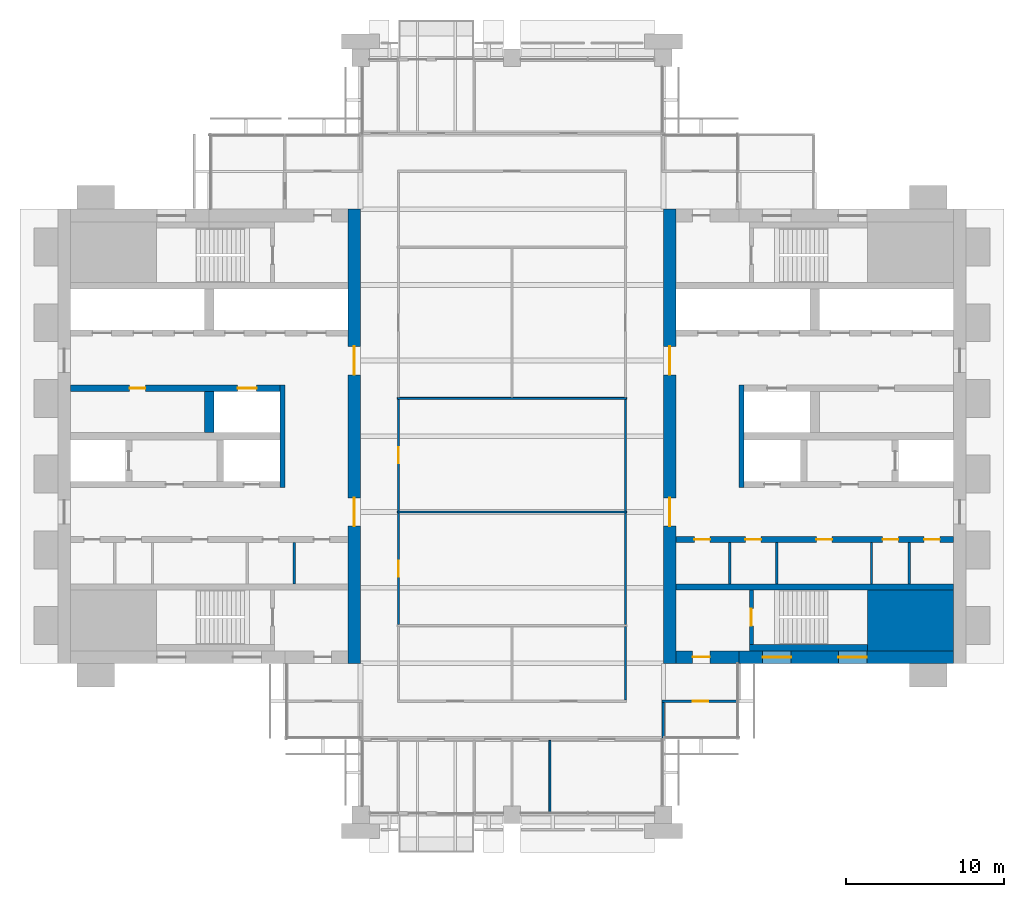
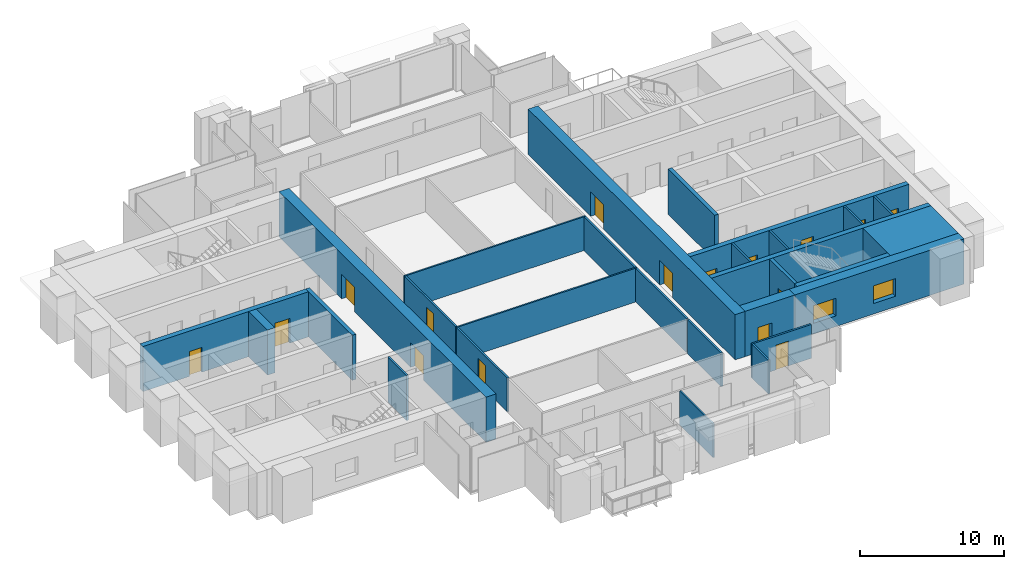
# One storey, part 9 of 14: 28 walls, 16 doors, 2 windows, 18 openings.
"""IFC4 building model written with IfcOpenShell, lengths in metres."""

from ifc_helpers import new_model, si_unit, direction, frame, frame_2d, origin, place, context, subcontext, project, spatial, rectangle, extrude, material, layer, layer_set, type_object, element, fill, save


model = new_model("IFC4")

# Units and contexts
model_context = context("Model", 3, precision=1e-05, world=origin(), true_north=direction((0.0, 1.0)))
body_context = subcontext(model_context, "Body", "Model", "MODEL_VIEW")
ifc_project = project(units=[si_unit("LENGTHUNIT", "METRE"), si_unit("AREAUNIT", "SQUARE_METRE"), si_unit("VOLUMEUNIT", "CUBIC_METRE"), si_unit("PLANEANGLEUNIT", "RADIAN"), si_unit("MASSUNIT", "GRAM", prefix="KILO")], contexts=[model_context])

# Site, building, storey
site_placement = place(None, origin())
site = spatial("IfcSite", under=ifc_project, at=site_placement, CompositionType="ELEMENT")
building_placement = place(site_placement, origin())
building = spatial("IfcBuilding", under=site, at=building_placement, Name="Baori Bourse Tower", CompositionType="ELEMENT")
storey_placement = place(building_placement, frame((0.0, 0.0, 257.199951171875)))
storey = spatial("IfcBuildingStorey", under=building, at=storey_placement, Name="L57", CompositionType="ELEMENT", Elevation=257.199951171875)

# Walls
ifc_material_1 = material(Name="Concrete f'c 50 MPa", Category="concrete")
wall_type_1 = type_object("IfcWallType", Name="Core corner block f'c 50", PredefinedType="SHEAR", material=ifc_material_1)
wall_1_placement = place(storey_placement, frame((51.35009765625, 12.324951171875, 0.0), z_axis=(0.0, 0.0, 1.0), x_axis=(1.0, 0.0, 0.0)))
element("IfcWall", 1, at=wall_1_placement, inside=storey, type_object=wall_type_1, Name="Core wall E05", PredefinedType="SHEAR", context=body_context, shape_type="SweptSolid", body=[
    extrude(rectangle(XDim=5.449951171875, YDim=3.85009765625, at=frame_2d((2.72509765625, 0.0))), origin(), (0.0, 0.0, 1.0), 3.840087890625),
])
ifc_material_2 = material(Name="Blockwork partition", Category="masonry")
ifc_layer_1 = layer(ifc_material_2, 0.14990234375)
ifc_layer_set_1 = layer_set([ifc_layer_1], Name="Core partition 150")
wall_type_2 = type_object("IfcWallType", Name="Core partition 150", PredefinedType="PARTITIONING", material=ifc_layer_set_1)
for number, where, z_axis, x_axis, name in (
    (2, (15.0, 14.64990234375, 0.0), (0.0, 0.0, 1.0), (0.0, 1.0, 0.0), "Partition wall W12"),
    (3, (54.0, 14.64990234375, 0.0), (0.0, 0.0, 1.0), (0.0, 1.0, 0.0), "Partition wall E09"),
    (4, (51.60009765625, 14.64990234375, 0.0), (0.0, 0.0, 1.0), (0.0, 1.0, 0.0), "Partition wall E10"),
    (5, (45.60009765625, 14.64990234375, 0.0), (0.0, 0.0, 1.0), (0.0, 1.0, 0.0), "Partition wall E11"),
    (6, (42.60009765625, 14.64990234375, 0.0), (0.0, 0.0, 1.0), (0.0, 1.0, 0.0), "Partition wall E12"),
):
    element("IfcWall", number, at=place(storey_placement, frame(where, z_axis=z_axis, x_axis=x_axis)), inside=storey, type_object=wall_type_2, Name=name, PredefinedType="PARTITIONING", context=body_context, shape_type="SweptSolid", body=[
        extrude(rectangle(XDim=2.60009765625, YDim=0.14990234375, at=frame_2d((1.300048828125, 0.0))), origin(), (0.0, 0.0, 1.0), 3.840087890625),
    ])

# Wall, openings, doors
ifc_material_3 = material(Name="Concrete f'c 50 MPa", Category="concrete")
ifc_layer_2 = layer(ifc_material_3, 0.800048828125)
ifc_layer_set_2 = layer_set([ifc_layer_2], Name="Core wall 800 f'c 50")
wall_type_3 = type_object("IfcWallType", Name="Core wall 800 f'c 50", PredefinedType="SHEAR", material=ifc_layer_set_2)
wall_2_placement = place(storey_placement, frame((18.800048828125, 38.39990234375, 0.0), z_axis=(0.0, 0.0, 1.0), x_axis=(0.0, -1.0, 0.0)))
wall_2 = element("IfcWall", 7, at=wall_2_placement, inside=storey, type_object=wall_type_3, Name="Core wall W04", PredefinedType="SHEAR", context=body_context, shape_type="SweptSolid", body=[
    extrude(rectangle(XDim=28.7998046875, YDim=0.800048828125, at=frame_2d((14.39990234375, 0.0))), origin(), (0.0, 0.0, 1.0), 3.840087890625),
])
opening_1_placement = place(wall_2_placement, frame((18.300048828125, 0.0, 0.0)))
opening_1 = element("IfcOpeningElement", 8, at=opening_1_placement, cuts=wall_2, Name="Opening L57-D107", PredefinedType="OPENING", context=body_context, shape_type="SweptSolid", body=[
    extrude(rectangle(XDim=1.800048828125, YDim=2.10009765625, at=frame_2d((0.89990234375, 1.050048828125))), frame((0.0, 0.409912109375, 0.0), z_axis=(0.0, -1.0, 0.0), x_axis=(1.0, 0.0, 0.0)), (0.0, 0.0, 1.0), 0.820068359375),
])
opening_2_placement = place(wall_2_placement, frame((8.699951171875, 0.0, 0.0)))
opening_2 = element("IfcOpeningElement", 9, at=opening_2_placement, cuts=wall_2, Name="Opening L57-D108", PredefinedType="OPENING", context=body_context, shape_type="SweptSolid", body=[
    extrude(rectangle(XDim=1.800048828125, YDim=2.10009765625, at=frame_2d((0.89990234375, 1.050048828125))), frame((0.0, 0.409912109375, 0.0), z_axis=(0.0, -1.0, 0.0), x_axis=(1.0, 0.0, 0.0)), (0.0, 0.0, 1.0), 0.820068359375),
])
ifc_material_4 = material(Name="Painted steel door", Category="steel")
door_type_1 = type_object("IfcDoorType", Name="Core lobby door 1800", OperationType="DOUBLE_DOOR_SINGLE_SWING", PredefinedType="DOOR", material=ifc_material_4)
door_1_placement = place(opening_1_placement, origin())
door_1 = element("IfcDoor", 10, at=door_1_placement, inside=storey, type_object=door_type_1, Name="Lobby door W L57", OperationType="DOUBLE_DOOR_SINGLE_SWING", OverallHeight=2.10009765625, OverallWidth=1.800048828125, PredefinedType="DOOR", context=body_context, shape_type="SweptSolid", body=[
    extrude(rectangle(XDim=1.800048828125, YDim=2.10009765625, at=frame_2d((0.89990234375, 1.050048828125))), frame((0.0, 0.02490234375, 0.0), z_axis=(0.0, -1.0, 0.0), x_axis=(1.0, 0.0, 0.0)), (0.0, 0.0, 1.0), 0.050048828125),
])
fill(opening_1, door_1)
door_2_placement = place(opening_2_placement, origin())
door_2 = element("IfcDoor", 11, at=door_2_placement, inside=storey, type_object=door_type_1, Name="Lobby door W L57", OperationType="DOUBLE_DOOR_SINGLE_SWING", OverallHeight=2.10009765625, OverallWidth=1.800048828125, PredefinedType="DOOR", context=body_context, shape_type="SweptSolid", body=[
    extrude(rectangle(XDim=1.800048828125, YDim=2.10009765625, at=frame_2d((0.89990234375, 1.050048828125))), frame((0.0, 0.02490234375, 0.0), z_axis=(0.0, -1.0, 0.0), x_axis=(1.0, 0.0, 0.0)), (0.0, 0.0, 1.0), 0.050048828125),
])
fill(opening_2, door_2)

# Wall, openings, windows
wall_3_placement = place(storey_placement, frame((56.800048828125, 10.0, 0.0), z_axis=(0.0, 0.0, 1.0), x_axis=(-1.0, 0.0, 0.0)))
wall_3 = element("IfcWall", 12, at=wall_3_placement, inside=storey, type_object=wall_type_3, Name="Core wall E02", PredefinedType="SHEAR", context=body_context, shape_type="SweptSolid", body=[
    extrude(rectangle(XDim=13.60009765625, YDim=0.800048828125, at=frame_2d((6.800048828125, 0.0))), origin(), (0.0, 0.0, 1.0), 3.840087890625),
])
opening_3_placement = place(wall_3_placement, frame((5.5, 0.0, 0.89990234375)))
opening_3 = element("IfcOpeningElement", 13, at=opening_3_placement, cuts=wall_3, Name="Opening L57-KW203", PredefinedType="OPENING", context=body_context, shape_type="SweptSolid", body=[
    extrude(rectangle(XDim=1.800048828125, YDim=1.5, at=frame_2d((0.89990234375, 0.75))), frame((0.0, 0.409912109375, 0.0), z_axis=(0.0, -1.0, 0.0), x_axis=(1.0, 0.0, 0.0)), (0.0, 0.0, 1.0), 0.820068359375),
])
opening_4_placement = place(wall_3_placement, frame((10.300048828125, 0.0, 0.89990234375)))
opening_4 = element("IfcOpeningElement", 14, at=opening_4_placement, cuts=wall_3, Name="Opening L57-KW204", PredefinedType="OPENING", context=body_context, shape_type="SweptSolid", body=[
    extrude(rectangle(XDim=1.800048828125, YDim=1.5, at=frame_2d((0.89990234375, 0.75))), frame((0.0, 0.409912109375, 0.0), z_axis=(0.0, -1.0, 0.0), x_axis=(1.0, 0.0, 0.0)), (0.0, 0.0, 1.0), 0.820068359375),
])
ifc_material_5 = material(Name="Pale anodised aluminium", Category="aluminium")
window_type = type_object("IfcWindowType", Name="Stair window 1800 x 1500", PartitioningType="SINGLE_PANEL", PredefinedType="WINDOW", material=ifc_material_5)
window_1_placement = place(opening_3_placement, origin())
window_1 = element("IfcWindow", 15, at=window_1_placement, inside=storey, type_object=window_type, Name="Stair window E L57 3", OverallHeight=1.5, OverallWidth=1.800048828125, PartitioningType="SINGLE_PANEL", PredefinedType="WINDOW", context=body_context, shape_type="SweptSolid", body=[
    extrude(rectangle(XDim=1.800048828125, YDim=1.5, at=frame_2d((0.89990234375, 0.75))), frame((0.0, 0.030029296875, 0.0), z_axis=(0.0, -1.0, 0.0), x_axis=(1.0, 0.0, 0.0)), (0.0, 0.0, 1.0), 0.06005859375),
])
fill(opening_3, window_1)
window_2_placement = place(opening_4_placement, origin())
window_2 = element("IfcWindow", 16, at=window_2_placement, inside=storey, type_object=window_type, Name="Stair window E L57 4", OverallHeight=1.5, OverallWidth=1.800048828125, PartitioningType="SINGLE_PANEL", PredefinedType="WINDOW", context=body_context, shape_type="SweptSolid", body=[
    extrude(rectangle(XDim=1.800048828125, YDim=1.5, at=frame_2d((0.89990234375, 0.75))), frame((0.0, 0.030029296875, 0.0), z_axis=(0.0, -1.0, 0.0), x_axis=(1.0, 0.0, 0.0)), (0.0, 0.0, 1.0), 0.06005859375),
])
fill(opening_4, window_2)

# Wall, opening, door
wall_4_placement = place(storey_placement, frame((43.199951171875, 10.0, 0.0), z_axis=(0.0, 0.0, 1.0), x_axis=(-1.0, 0.0, 0.0)))
wall_4 = element("IfcWall", 17, at=wall_4_placement, inside=storey, type_object=wall_type_3, Name="Core wall E03", PredefinedType="SHEAR", context=body_context, shape_type="SweptSolid", body=[
    extrude(rectangle(XDim=4.0, YDim=0.800048828125, at=frame_2d((2.0, 0.0))), origin(), (0.0, 0.0, 1.0), 3.840087890625),
])
opening_5_placement = place(wall_4_placement, frame((1.85009765625, 0.0, 0.0)))
opening_5 = element("IfcOpeningElement", 18, at=opening_5_placement, cuts=wall_4, Name="Opening L57-D202", PredefinedType="OPENING", context=body_context, shape_type="SweptSolid", body=[
    extrude(rectangle(XDim=1.10009765625, YDim=2.10009765625, at=frame_2d((0.550048828125, 1.050048828125))), frame((0.0, 0.409912109375, 0.0), z_axis=(0.0, -1.0, 0.0), x_axis=(1.0, 0.0, 0.0)), (0.0, 0.0, 1.0), 0.820068359375),
])
ifc_material_6 = material(Name="Painted steel door", Category="steel")
door_type_2 = type_object("IfcDoorType", Name="Stair door 1100", OperationType="SINGLE_SWING_LEFT", PredefinedType="DOOR", material=ifc_material_6)
door_3_placement = place(opening_5_placement, origin())
door_3 = element("IfcDoor", 19, at=door_3_placement, inside=storey, type_object=door_type_2, Name="Stair vestibule door A E L57", OperationType="SINGLE_SWING_LEFT", OverallHeight=2.10009765625, OverallWidth=1.10009765625, PredefinedType="DOOR", context=body_context, shape_type="SweptSolid", body=[
    extrude(rectangle(XDim=1.10009765625, YDim=2.10009765625, at=frame_2d((0.550048828125, 1.050048828125))), frame((0.0, 0.02490234375, 0.0), z_axis=(0.0, -1.0, 0.0), x_axis=(1.0, 0.0, 0.0)), (0.0, 0.0, 1.0), 0.050048828125),
])
fill(opening_5, door_3)

# Wall, openings, doors
wall_5_placement = place(storey_placement, frame((38.800048828125, 9.60009765625, 0.0), z_axis=(0.0, 0.0, 1.0), x_axis=(0.0, 1.0, 0.0)))
wall_5 = element("IfcWall", 20, at=wall_5_placement, inside=storey, type_object=wall_type_3, Name="Core wall E04", PredefinedType="SHEAR", context=body_context, shape_type="SweptSolid", body=[
    extrude(rectangle(XDim=28.7998046875, YDim=0.800048828125, at=frame_2d((14.39990234375, 0.0))), origin(), (0.0, 0.0, 1.0), 3.840087890625),
])
opening_6_placement = place(wall_5_placement, frame((8.699951171875, 0.0, 0.0)))
opening_6 = element("IfcOpeningElement", 21, at=opening_6_placement, cuts=wall_5, Name="Opening L57-D207", PredefinedType="OPENING", context=body_context, shape_type="SweptSolid", body=[
    extrude(rectangle(XDim=1.800048828125, YDim=2.10009765625, at=frame_2d((0.89990234375, 1.050048828125))), frame((0.0, 0.409912109375, 0.0), z_axis=(0.0, -1.0, 0.0), x_axis=(1.0, 0.0, 0.0)), (0.0, 0.0, 1.0), 0.820068359375),
])
opening_7_placement = place(wall_5_placement, frame((18.300048828125, 0.0, 0.0)))
opening_7 = element("IfcOpeningElement", 22, at=opening_7_placement, cuts=wall_5, Name="Opening L57-D208", PredefinedType="OPENING", context=body_context, shape_type="SweptSolid", body=[
    extrude(rectangle(XDim=1.800048828125, YDim=2.10009765625, at=frame_2d((0.89990234375, 1.050048828125))), frame((0.0, 0.409912109375, 0.0), z_axis=(0.0, -1.0, 0.0), x_axis=(1.0, 0.0, 0.0)), (0.0, 0.0, 1.0), 0.820068359375),
])
door_4_placement = place(opening_6_placement, origin())
door_4 = element("IfcDoor", 23, at=door_4_placement, inside=storey, type_object=door_type_1, Name="Lobby door E L57", OperationType="DOUBLE_DOOR_SINGLE_SWING", OverallHeight=2.10009765625, OverallWidth=1.800048828125, PredefinedType="DOOR", context=body_context, shape_type="SweptSolid", body=[
    extrude(rectangle(XDim=1.800048828125, YDim=2.10009765625, at=frame_2d((0.89990234375, 1.050048828125))), frame((0.0, 0.02490234375, 0.0), z_axis=(0.0, -1.0, 0.0), x_axis=(1.0, 0.0, 0.0)), (0.0, 0.0, 1.0), 0.050048828125),
])
fill(opening_6, door_4)
door_5_placement = place(opening_7_placement, origin())
door_5 = element("IfcDoor", 24, at=door_5_placement, inside=storey, type_object=door_type_1, Name="Lobby door E L57", OperationType="DOUBLE_DOOR_SINGLE_SWING", OverallHeight=2.10009765625, OverallWidth=1.800048828125, PredefinedType="DOOR", context=body_context, shape_type="SweptSolid", body=[
    extrude(rectangle(XDim=1.800048828125, YDim=2.10009765625, at=frame_2d((0.89990234375, 1.050048828125))), frame((0.0, 0.02490234375, 0.0), z_axis=(0.0, -1.0, 0.0), x_axis=(1.0, 0.0, 0.0)), (0.0, 0.0, 1.0), 0.050048828125),
])
fill(opening_7, door_5)

# Wall, opening, door
ifc_material_7 = material(Name="Gypsum board partition")
ifc_layer_3 = layer(ifc_material_7, 0.14990234375)
ifc_layer_set_3 = layer_set([ifc_layer_3], Name="Corridor partition 150")
wall_type_4 = type_object("IfcWallType", Name="Corridor partition 150", PredefinedType="PARTITIONING", material=ifc_layer_set_3)
wall_6_placement = place(storey_placement, frame((38.324951171875, 7.199951171875, 0.0), z_axis=(0.0, 0.0, 1.0), x_axis=(1.0, 0.0, 0.0)))
wall_6 = element("IfcWall", 25, at=wall_6_placement, inside=storey, type_object=wall_type_4, Name="Partition", PredefinedType="PARTITIONING", context=body_context, shape_type="SweptSolid", body=[
    extrude(rectangle(XDim=4.775146484375, YDim=0.14990234375, at=frame_2d((2.3876953125, 0.0))), origin(), (0.0, 0.0, 1.0), 2.869873046875),
])
opening_8_placement = place(wall_6_placement, frame((1.925048828125, 0.0, 0.0)))
opening_8 = element("IfcOpeningElement", 26, at=opening_8_placement, cuts=wall_6, Name="Opening L57-D09", PredefinedType="OPENING", context=body_context, shape_type="SweptSolid", body=[
    extrude(rectangle(XDim=1.0, YDim=2.10009765625, at=frame_2d((0.5, 1.050048828125))), frame((0.0, 0.0849609375, 0.0), z_axis=(0.0, -1.0, 0.0), x_axis=(1.0, 0.0, 0.0)), (0.0, 0.0, 1.0), 0.169921875),
])
ifc_material_8 = material(Name="Timber door leaf", Category="wood")
door_type_3 = type_object("IfcDoorType", Name="Door 1000 x 2100", OperationType="SINGLE_SWING_LEFT", PredefinedType="DOOR", material=ifc_material_8)
door_6_placement = place(opening_8_placement, origin())
door_6 = element("IfcDoor", 27, at=door_6_placement, inside=storey, type_object=door_type_3, Name="Door", OperationType="SINGLE_SWING_RIGHT", OverallHeight=2.10009765625, OverallWidth=1.0, PredefinedType="DOOR", context=body_context, shape_type="SweptSolid", body=[
    extrude(rectangle(XDim=1.0, YDim=2.10009765625, at=frame_2d((0.5, 1.050048828125))), frame((0.0, 0.02490234375, 0.0), z_axis=(0.0, -1.0, 0.0), x_axis=(1.0, 0.0, 0.0)), (0.0, 0.0, 1.0), 0.050048828125),
])
fill(opening_8, door_6)

wall_7_placement = place(storey_placement, frame((21.60009765625, 12.0625, 0.0), z_axis=(0.0, 0.0, 1.0), x_axis=(0.0, 1.0, 0.0)))
wall_7 = element("IfcWall", 28, at=wall_7_placement, inside=storey, type_object=wall_type_4, Name="Partition", PredefinedType="PARTITIONING", context=body_context, shape_type="SweptSolid", body=[
    extrude(rectangle(XDim=7.074951171875, YDim=0.14990234375, at=frame_2d((3.53759765625, 0.0))), origin(), (0.0, 0.0, 1.0), 2.869873046875),
])
opening_9_placement = place(wall_7_placement, frame((3.03759765625, 0.0, 0.0)))
opening_9 = element("IfcOpeningElement", 29, at=opening_9_placement, cuts=wall_7, Name="Opening L57-D17", PredefinedType="OPENING", context=body_context, shape_type="SweptSolid", body=[
    extrude(rectangle(XDim=1.0, YDim=2.10009765625, at=frame_2d((0.5, 1.050048828125))), frame((0.0, 0.0849609375, 0.0), z_axis=(0.0, -1.0, 0.0), x_axis=(1.0, 0.0, 0.0)), (0.0, 0.0, 1.0), 0.169921875),
])
door_7_placement = place(opening_9_placement, origin())
door_7 = element("IfcDoor", 30, at=door_7_placement, inside=storey, type_object=door_type_3, Name="Door", OperationType="SINGLE_SWING_LEFT", OverallHeight=2.10009765625, OverallWidth=1.0, PredefinedType="DOOR", context=body_context, shape_type="SweptSolid", body=[
    extrude(rectangle(XDim=1.0, YDim=2.10009765625, at=frame_2d((0.5, 1.050048828125))), frame((0.0, 0.02490234375, 0.0), z_axis=(0.0, -1.0, 0.0), x_axis=(1.0, 0.0, 0.0)), (0.0, 0.0, 1.0), 0.050048828125),
])
fill(opening_9, door_7)

wall_8_placement = place(storey_placement, frame((21.60009765625, 19.262451171875, 0.0), z_axis=(0.0, 0.0, 1.0), x_axis=(0.0, 1.0, 0.0)))
wall_8 = element("IfcWall", 31, at=wall_8_placement, inside=storey, type_object=wall_type_4, Name="Partition", PredefinedType="PARTITIONING", context=body_context, shape_type="SweptSolid", body=[
    extrude(rectangle(XDim=7.074951171875, YDim=0.14990234375, at=frame_2d((3.53759765625, 0.0))), origin(), (0.0, 0.0, 1.0), 2.869873046875),
])
opening_10_placement = place(wall_8_placement, frame((3.03759765625, 0.0, 0.0)))
opening_10 = element("IfcOpeningElement", 32, at=opening_10_placement, cuts=wall_8, Name="Opening L57-D18", PredefinedType="OPENING", context=body_context, shape_type="SweptSolid", body=[
    extrude(rectangle(XDim=1.0, YDim=2.10009765625, at=frame_2d((0.5, 1.050048828125))), frame((0.0, 0.0849609375, 0.0), z_axis=(0.0, -1.0, 0.0), x_axis=(1.0, 0.0, 0.0)), (0.0, 0.0, 1.0), 0.169921875),
])
door_8_placement = place(opening_10_placement, origin())
door_8 = element("IfcDoor", 33, at=door_8_placement, inside=storey, type_object=door_type_3, Name="Door", OperationType="SINGLE_SWING_RIGHT", OverallHeight=2.10009765625, OverallWidth=1.0, PredefinedType="DOOR", context=body_context, shape_type="SweptSolid", body=[
    extrude(rectangle(XDim=1.0, YDim=2.10009765625, at=frame_2d((0.5, 1.050048828125))), frame((0.0, 0.02490234375, 0.0), z_axis=(0.0, -1.0, 0.0), x_axis=(1.0, 0.0, 0.0)), (0.0, 0.0, 1.0), 0.050048828125),
])
fill(opening_10, door_8)

# Walls
wall_9_placement = place(storey_placement, frame((36.0, 7.27490234375, 0.0), z_axis=(0.0, 0.0, 1.0), x_axis=(0.0, 1.0, 0.0)))
element("IfcWall", 34, at=wall_9_placement, inside=storey, type_object=wall_type_4, Name="Partition", PredefinedType="PARTITIONING", context=body_context, shape_type="SweptSolid", body=[
    extrude(rectangle(XDim=4.66259765625, YDim=0.14990234375, at=frame_2d((2.331298828125, 0.0))), origin(), (0.0, 0.0, 1.0), 2.869873046875),
])
for number, where, z_axis, x_axis, name in (
    (35, (36.0, 12.0625, 0.0), (0.0, 0.0, 1.0), (0.0, 1.0, 0.0), "Partition"),
    (36, (36.0, 19.262451171875, 0.0), (0.0, 0.0, 1.0), (0.0, 1.0, 0.0), "Partition"),
):
    element("IfcWall", number, at=place(storey_placement, frame(where, z_axis=z_axis, x_axis=x_axis)), inside=storey, type_object=wall_type_4, Name=name, PredefinedType="PARTITIONING", context=body_context, shape_type="SweptSolid", body=[
        extrude(rectangle(XDim=7.074951171875, YDim=0.14990234375, at=frame_2d((3.53759765625, 0.0))), origin(), (0.0, 0.0, 1.0), 2.869873046875),
    ])
wall_10_placement = place(storey_placement, frame((38.39990234375, 4.875, 0.0), z_axis=(0.0, 0.0, 1.0), x_axis=(0.0, 1.0, 0.0)))
element("IfcWall", 37, at=wall_10_placement, inside=storey, type_object=wall_type_4, Name="Partition", PredefinedType="PARTITIONING", context=body_context, shape_type="SweptSolid", body=[
    extrude(rectangle(XDim=2.25, YDim=0.14990234375, at=frame_2d((1.125, 0.0))), origin(), (0.0, 0.0, 1.0), 2.869873046875),
])
ifc_material_9 = material(Name="Gypsum board partition")
ifc_layer_4 = layer(ifc_material_9, 0.125)
ifc_layer_set_4 = layer_set([ifc_layer_4], Name="Partition 125")
wall_type_5 = type_object("IfcWallType", Name="Partition 125", PredefinedType="PARTITIONING", material=ifc_layer_set_4)
for number, where, z_axis, x_axis, name in (
    (38, (21.52490234375, 19.199951171875, 0.0), (0.0, 0.0, 1.0), (1.0, 0.0, 0.0), "Partition"),
    (39, (21.52490234375, 26.39990234375, 0.0), (0.0, 0.0, 1.0), (1.0, 0.0, 0.0), "Partition"),
):
    element("IfcWall", number, at=place(storey_placement, frame(where, z_axis=z_axis, x_axis=x_axis)), inside=storey, type_object=wall_type_5, Name=name, PredefinedType="PARTITIONING", context=body_context, shape_type="SweptSolid", body=[
        extrude(rectangle(XDim=14.550048828125, YDim=0.125, at=frame_2d((7.27490234375, 0.0))), origin(), (0.0, 0.0, 1.0), 2.869873046875),
    ])
wall_11_placement = place(storey_placement, frame((31.199951171875, 0.10009765625, 0.0), z_axis=(0.0, 0.0, 1.0), x_axis=(0.0, 1.0, 0.0)))
element("IfcWall", 40, at=wall_11_placement, inside=storey, type_object=wall_type_5, Name="Partition", PredefinedType="PARTITIONING", context=body_context, shape_type="SweptSolid", body=[
    extrude(rectangle(XDim=4.625, YDim=0.125, at=frame_2d((2.3125, 0.0))), origin(), (0.0, 0.0, 1.0), 2.869873046875),
])

# Wall, opening, door
ifc_material_10 = material(Name="Concrete f'c 50 MPa", Category="concrete")
ifc_layer_5 = layer(ifc_material_10, 0.25)
ifc_layer_set_5 = layer_set([ifc_layer_5], Name="Shaft wall 250 f'c 50")
wall_type_6 = type_object("IfcWallType", Name="Shaft wall 250 f'c 50", PredefinedType="SHEAR", material=ifc_layer_set_5)
wall_12_placement = place(storey_placement, frame((43.97509765625, 10.800048828125, 0.0), z_axis=(0.0, 0.0, 1.0), x_axis=(0.0, 1.0, 0.0)))
wall_12 = element("IfcWall", 41, at=wall_12_placement, inside=storey, type_object=wall_type_6, Name="Core wall E07", PredefinedType="SHEAR", context=body_context, shape_type="SweptSolid", body=[
    extrude(rectangle(XDim=3.449951171875, YDim=0.25, at=frame_2d((1.72509765625, 0.0))), origin(), (0.0, 0.0, 1.0), 3.840087890625),
])
opening_11_placement = place(wall_12_placement, frame((1.175048828125, 0.0, 0.0)))
opening_11 = element("IfcOpeningElement", 42, at=opening_11_placement, cuts=wall_12, Name="Opening L57-D201", PredefinedType="OPENING", context=body_context, shape_type="SweptSolid", body=[
    extrude(rectangle(XDim=1.10009765625, YDim=2.10009765625, at=frame_2d((0.550048828125, 1.050048828125))), frame((0.0, 0.135009765625, 0.0), z_axis=(0.0, -1.0, 0.0), x_axis=(1.0, 0.0, 0.0)), (0.0, 0.0, 1.0), 0.27001953125),
])
door_9_placement = place(opening_11_placement, origin())
door_9 = element("IfcDoor", 43, at=door_9_placement, inside=storey, type_object=door_type_2, Name="Stair door A E L57", OperationType="SINGLE_SWING_LEFT", OverallHeight=2.10009765625, OverallWidth=1.10009765625, PredefinedType="DOOR", context=body_context, shape_type="SweptSolid", body=[
    extrude(rectangle(XDim=1.10009765625, YDim=2.10009765625, at=frame_2d((0.550048828125, 1.050048828125))), frame((0.0, 0.02490234375, 0.0), z_axis=(0.0, -1.0, 0.0), x_axis=(1.0, 0.0, 0.0)), (0.0, 0.0, 1.0), 0.050048828125),
])
fill(opening_11, door_9)

# Walls
ifc_material_11 = material(Name="Concrete f'c 50 MPa", Category="concrete")
ifc_layer_6 = layer(ifc_material_11, 0.300048828125)
ifc_layer_set_6 = layer_set([ifc_layer_6], Name="Shaft wall 300 f'c 50")
wall_type_7 = type_object("IfcWallType", Name="Shaft wall 300 f'c 50", PredefinedType="SHEAR", material=ifc_layer_set_6)
for number, where, z_axis, x_axis, name in (
    (44, (14.25, 20.75, 0.0), (0.0, 0.0, 1.0), (0.0, 1.0, 0.0), "Core wall W15"),
    (45, (43.35009765625, 20.75, 0.0), (0.0, 0.0, 1.0), (0.0, 1.0, 0.0), "Core wall E15"),
):
    element("IfcWall", number, at=place(storey_placement, frame(where, z_axis=z_axis, x_axis=x_axis)), inside=storey, type_object=wall_type_7, Name=name, PredefinedType="SHEAR", context=body_context, shape_type="SweptSolid", body=[
        extrude(rectangle(XDim=6.5, YDim=0.300048828125, at=frame_2d((3.25, 0.0))), origin(), (0.0, 0.0, 1.0), 3.840087890625),
    ])

# Wall, openings, doors
ifc_material_12 = material(Name="Concrete f'c 50 MPa", Category="concrete")
ifc_layer_7 = layer(ifc_material_12, 0.39990234375)
ifc_layer_set_7 = layer_set([ifc_layer_7], Name="Shaft wall 400 f'c 50")
wall_type_8 = type_object("IfcWallType", Name="Shaft wall 400 f'c 50", PredefinedType="SHEAR", material=ifc_layer_set_7)
wall_13_placement = place(storey_placement, frame((0.800048828125, 27.050048828125, 0.0), z_axis=(0.0, 0.0, 1.0), x_axis=(1.0, 0.0, 0.0)))
wall_13 = element("IfcWall", 46, at=wall_13_placement, inside=storey, type_object=wall_type_8, Name="Core wall W20", PredefinedType="SHEAR", context=body_context, shape_type="SweptSolid", body=[
    extrude(rectangle(XDim=13.300048828125, YDim=0.39990234375, at=frame_2d((6.64990234375, 0.0))), origin(), (0.0, 0.0, 1.0), 3.840087890625),
])
opening_12_placement = place(wall_13_placement, frame((3.75, 0.0, 0.0)))
opening_12 = element("IfcOpeningElement", 47, at=opening_12_placement, cuts=wall_13, Name="Opening L57-D114", PredefinedType="OPENING", context=body_context, shape_type="SweptSolid", body=[
    extrude(rectangle(XDim=1.0, YDim=2.10009765625, at=frame_2d((0.5, 1.050048828125))), frame((0.0, 0.2099609375, 0.0), z_axis=(0.0, -1.0, 0.0), x_axis=(1.0, 0.0, 0.0)), (0.0, 0.0, 1.0), 0.419921875),
])
opening_13_placement = place(wall_13_placement, frame((10.60009765625, 0.0, 0.0)))
opening_13 = element("IfcOpeningElement", 48, at=opening_13_placement, cuts=wall_13, Name="Opening L57-D121", PredefinedType="OPENING", context=body_context, shape_type="SweptSolid", body=[
    extrude(rectangle(XDim=1.199951171875, YDim=2.10009765625, at=frame_2d((0.60009765625, 1.050048828125))), frame((0.0, 0.2099609375, 0.0), z_axis=(0.0, -1.0, 0.0), x_axis=(1.0, 0.0, 0.0)), (0.0, 0.0, 1.0), 0.419921875),
])
ifc_material_13 = material(Name="Painted steel door", Category="steel")
door_type_4 = type_object("IfcDoorType", Name="Core door 1000", OperationType="SINGLE_SWING_LEFT", PredefinedType="DOOR", material=ifc_material_13)
door_10_placement = place(opening_12_placement, origin())
door_10 = element("IfcDoor", 49, at=door_10_placement, inside=storey, type_object=door_type_4, Name="Pantry door W L57", OperationType="SINGLE_SWING_LEFT", OverallHeight=2.10009765625, OverallWidth=1.0, PredefinedType="DOOR", context=body_context, shape_type="SweptSolid", body=[
    extrude(rectangle(XDim=1.0, YDim=2.10009765625, at=frame_2d((0.5, 1.050048828125))), frame((0.0, 0.02490234375, 0.0), z_axis=(0.0, -1.0, 0.0), x_axis=(1.0, 0.0, 0.0)), (0.0, 0.0, 1.0), 0.050048828125),
])
fill(opening_12, door_10)
ifc_material_14 = material(Name="Stainless steel door", Category="steel")
door_type_5 = type_object("IfcDoorType", Name="Lift landing door", OperationType="DOUBLE_DOOR_SLIDING", PredefinedType="DOOR", material=ifc_material_14)
door_11_placement = place(opening_13_placement, origin())
door_11 = element("IfcDoor", 50, at=door_11_placement, inside=storey, type_object=door_type_5, Name="Lift landing door SV1 W L57", OperationType="DOUBLE_DOOR_SLIDING", OverallHeight=2.10009765625, OverallWidth=1.199951171875, PredefinedType="DOOR", context=body_context, shape_type="SweptSolid", body=[
    extrude(rectangle(XDim=1.199951171875, YDim=2.10009765625, at=frame_2d((0.60009765625, 1.050048828125))), frame((0.0, 0.02490234375, 0.0), z_axis=(0.0, -1.0, 0.0), x_axis=(1.0, 0.0, 0.0)), (0.0, 0.0, 1.0), 0.050048828125),
])
fill(opening_13, door_11)

# Walls
wall_14_placement = place(storey_placement, frame((43.85009765625, 10.60009765625, 0.0), z_axis=(0.0, 0.0, 1.0), x_axis=(1.0, 0.0, 0.0)))
element("IfcWall", 51, at=wall_14_placement, inside=storey, type_object=wall_type_8, Name="Core wall E06", PredefinedType="SHEAR", context=body_context, shape_type="SweptSolid", body=[
    extrude(rectangle(XDim=7.5, YDim=0.39990234375, at=frame_2d((3.75, 0.0))), origin(), (0.0, 0.0, 1.0), 3.840087890625),
])
wall_15_placement = place(storey_placement, frame((39.199951171875, 14.449951171875, 0.0), z_axis=(0.0, 0.0, 1.0), x_axis=(1.0, 0.0, 0.0)))
element("IfcWall", 52, at=wall_15_placement, inside=storey, type_object=wall_type_8, Name="Core wall E08", PredefinedType="SHEAR", context=body_context, shape_type="SweptSolid", body=[
    extrude(rectangle(XDim=17.60009765625, YDim=0.39990234375, at=frame_2d((8.800048828125, 0.0))), origin(), (0.0, 0.0, 1.0), 3.840087890625),
])

# Wall, openings, doors
wall_16_placement = place(storey_placement, frame((39.199951171875, 17.449951171875, 0.0), z_axis=(0.0, 0.0, 1.0), x_axis=(1.0, 0.0, 0.0)))
wall_16 = element("IfcWall", 53, at=wall_16_placement, inside=storey, type_object=wall_type_8, Name="Core wall E13", PredefinedType="SHEAR", context=body_context, shape_type="SweptSolid", body=[
    extrude(rectangle(XDim=17.60009765625, YDim=0.39990234375, at=frame_2d((8.800048828125, 0.0))), origin(), (0.0, 0.0, 1.0), 3.840087890625),
])
opening_14_placement = place(wall_16_placement, frame((15.737548828125, 0.0, 0.0)))
opening_14 = element("IfcOpeningElement", 54, at=opening_14_placement, cuts=wall_16, Name="Opening L57-D209", PredefinedType="OPENING", context=body_context, shape_type="SweptSolid", body=[
    extrude(rectangle(XDim=1.0, YDim=2.10009765625, at=frame_2d((0.5, 1.050048828125))), frame((0.0, 0.2099609375, 0.0), z_axis=(0.0, -1.0, 0.0), x_axis=(1.0, 0.0, 0.0)), (0.0, 0.0, 1.0), 0.419921875),
])
opening_15_placement = place(wall_16_placement, frame((13.10009765625, 0.0, 0.0)))
opening_15 = element("IfcOpeningElement", 55, at=opening_15_placement, cuts=wall_16, Name="Opening L57-D210", PredefinedType="OPENING", context=body_context, shape_type="SweptSolid", body=[
    extrude(rectangle(XDim=1.0, YDim=2.10009765625, at=frame_2d((0.5, 1.050048828125))), frame((0.0, 0.2099609375, 0.0), z_axis=(0.0, -1.0, 0.0), x_axis=(1.0, 0.0, 0.0)), (0.0, 0.0, 1.0), 0.419921875),
])
opening_16_placement = place(wall_16_placement, frame((8.89990234375, 0.0, 0.0)))
opening_16 = element("IfcOpeningElement", 56, at=opening_16_placement, cuts=wall_16, Name="Opening L57-D211", PredefinedType="OPENING", context=body_context, shape_type="SweptSolid", body=[
    extrude(rectangle(XDim=1.0, YDim=2.10009765625, at=frame_2d((0.5, 1.050048828125))), frame((0.0, 0.2099609375, 0.0), z_axis=(0.0, -1.0, 0.0), x_axis=(1.0, 0.0, 0.0)), (0.0, 0.0, 1.0), 0.419921875),
])
opening_17_placement = place(wall_16_placement, frame((4.39990234375, 0.0, 0.0)))
opening_17 = element("IfcOpeningElement", 57, at=opening_17_placement, cuts=wall_16, Name="Opening L57-D212", PredefinedType="OPENING", context=body_context, shape_type="SweptSolid", body=[
    extrude(rectangle(XDim=1.0, YDim=2.10009765625, at=frame_2d((0.5, 1.050048828125))), frame((0.0, 0.2099609375, 0.0), z_axis=(0.0, -1.0, 0.0), x_axis=(1.0, 0.0, 0.0)), (0.0, 0.0, 1.0), 0.419921875),
])
opening_18_placement = place(wall_16_placement, frame((1.16259765625, 0.0, 0.0)))
opening_18 = element("IfcOpeningElement", 58, at=opening_18_placement, cuts=wall_16, Name="Opening L57-D213", PredefinedType="OPENING", context=body_context, shape_type="SweptSolid", body=[
    extrude(rectangle(XDim=1.0, YDim=2.10009765625, at=frame_2d((0.5, 1.050048828125))), frame((0.0, 0.2099609375, 0.0), z_axis=(0.0, -1.0, 0.0), x_axis=(1.0, 0.0, 0.0)), (0.0, 0.0, 1.0), 0.419921875),
])
door_12_placement = place(opening_14_placement, origin())
door_12 = element("IfcDoor", 59, at=door_12_placement, inside=storey, type_object=door_type_4, Name="Pantry door E L57", OperationType="SINGLE_SWING_LEFT", OverallHeight=2.10009765625, OverallWidth=1.0, PredefinedType="DOOR", context=body_context, shape_type="SweptSolid", body=[
    extrude(rectangle(XDim=1.0, YDim=2.10009765625, at=frame_2d((0.5, 1.050048828125))), frame((0.0, 0.02490234375, 0.0), z_axis=(0.0, -1.0, 0.0), x_axis=(1.0, 0.0, 0.0)), (0.0, 0.0, 1.0), 0.050048828125),
])
fill(opening_14, door_12)
door_13_placement = place(opening_16_placement, origin())
door_13 = element("IfcDoor", 60, at=door_13_placement, inside=storey, type_object=door_type_4, Name="Men'S Wc door E L57", OperationType="SINGLE_SWING_LEFT", OverallHeight=2.10009765625, OverallWidth=1.0, PredefinedType="DOOR", context=body_context, shape_type="SweptSolid", body=[
    extrude(rectangle(XDim=1.0, YDim=2.10009765625, at=frame_2d((0.5, 1.050048828125))), frame((0.0, 0.02490234375, 0.0), z_axis=(0.0, -1.0, 0.0), x_axis=(1.0, 0.0, 0.0)), (0.0, 0.0, 1.0), 0.050048828125),
])
fill(opening_16, door_13)
door_14_placement = place(opening_17_placement, origin())
door_14 = element("IfcDoor", 61, at=door_14_placement, inside=storey, type_object=door_type_4, Name="Women'S Wc door E L57", OperationType="SINGLE_SWING_LEFT", OverallHeight=2.10009765625, OverallWidth=1.0, PredefinedType="DOOR", context=body_context, shape_type="SweptSolid", body=[
    extrude(rectangle(XDim=1.0, YDim=2.10009765625, at=frame_2d((0.5, 1.050048828125))), frame((0.0, 0.02490234375, 0.0), z_axis=(0.0, -1.0, 0.0), x_axis=(1.0, 0.0, 0.0)), (0.0, 0.0, 1.0), 0.050048828125),
])
fill(opening_17, door_14)
door_15_placement = place(opening_18_placement, origin())
door_15 = element("IfcDoor", 62, at=door_15_placement, inside=storey, type_object=door_type_4, Name="Accessible Wc door E L57", OperationType="SINGLE_SWING_LEFT", OverallHeight=2.10009765625, OverallWidth=1.0, PredefinedType="DOOR", context=body_context, shape_type="SweptSolid", body=[
    extrude(rectangle(XDim=1.0, YDim=2.10009765625, at=frame_2d((0.5, 1.050048828125))), frame((0.0, 0.02490234375, 0.0), z_axis=(0.0, -1.0, 0.0), x_axis=(1.0, 0.0, 0.0)), (0.0, 0.0, 1.0), 0.050048828125),
])
fill(opening_18, door_15)
ifc_material_15 = material(Name="Painted steel door", Category="steel")
door_type_6 = type_object("IfcDoorType", Name="Plant room door 1000", OperationType="SINGLE_SWING_LEFT", PredefinedType="DOOR", material=ifc_material_15)
door_16_placement = place(opening_15_placement, origin())
door_16 = element("IfcDoor", 63, at=door_16_placement, inside=storey, type_object=door_type_6, Name="Electrical Room door E L57", OperationType="SINGLE_SWING_LEFT", OverallHeight=2.10009765625, OverallWidth=1.0, PredefinedType="DOOR", context=body_context, shape_type="SweptSolid", body=[
    extrude(rectangle(XDim=1.0, YDim=2.10009765625, at=frame_2d((0.5, 1.050048828125))), frame((0.0, 0.02490234375, 0.0), z_axis=(0.0, -1.0, 0.0), x_axis=(1.0, 0.0, 0.0)), (0.0, 0.0, 1.0), 0.050048828125),
])
fill(opening_15, door_16)

# Wall
ifc_material_16 = material(Name="Concrete f'c 50 MPa", Category="concrete")
ifc_layer_8 = layer(ifc_material_16, 0.60009765625)
ifc_layer_set_8 = layer_set([ifc_layer_8], Name="Shaft wall 600 f'c 50")
wall_type_9 = type_object("IfcWallType", Name="Shaft wall 600 f'c 50", PredefinedType="SHEAR", material=ifc_layer_set_8)
wall_17_placement = place(storey_placement, frame((9.60009765625, 24.25, 0.0), z_axis=(0.0, 0.0, 1.0), x_axis=(0.0, 1.0, 0.0)))
element("IfcWall", 64, at=wall_17_placement, inside=storey, type_object=wall_type_9, Name="Core wall W19", PredefinedType="SHEAR", context=body_context, shape_type="SweptSolid", body=[
    extrude(rectangle(XDim=2.60009765625, YDim=0.60009765625, at=frame_2d((1.300048828125, 0.0))), origin(), (0.0, 0.0, 1.0), 3.840087890625),
])

save(model, "model.ifc")
